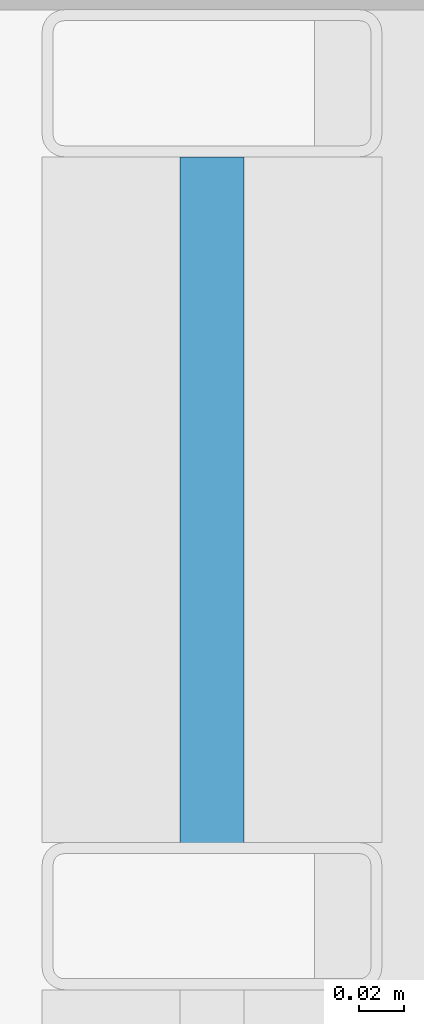
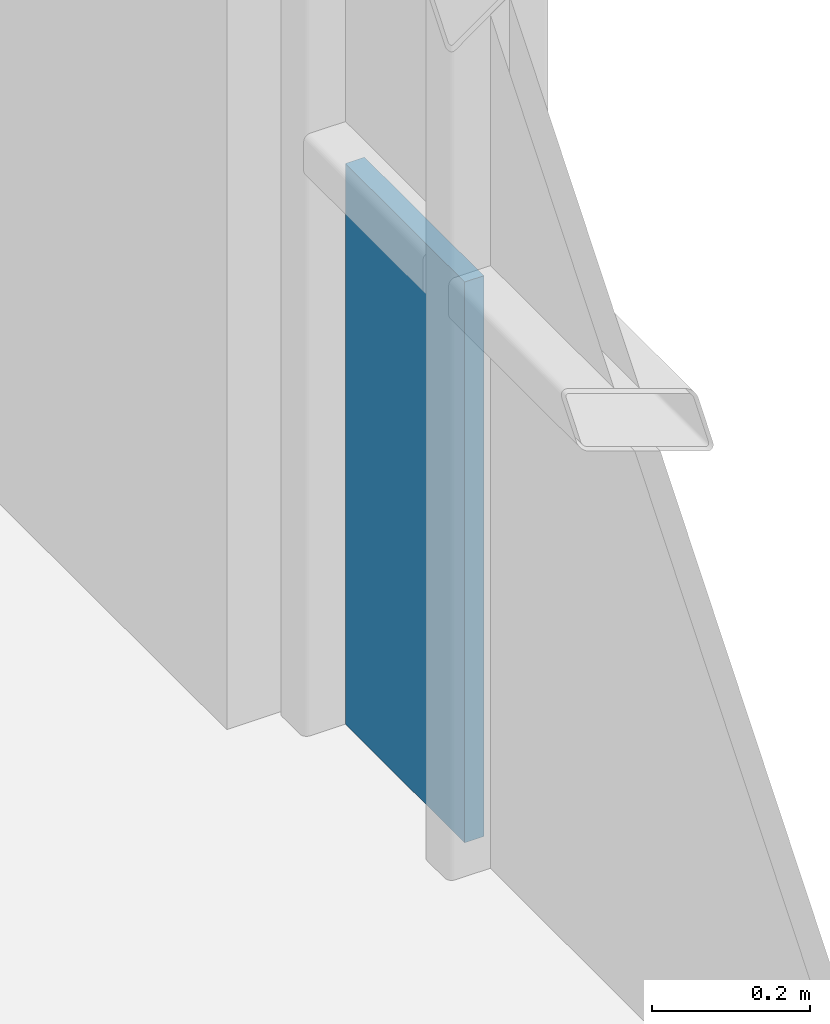
# One storey, part 30 of 41: 1 plate, 1 element without a shape of its own.
"""IFC4 building model written with IfcOpenShell, lengths in metres."""

from ifc_helpers import new_model, si_unit, direction, frame, origin, origin_2d, place, context, subcontext, project, spatial, rectangle, extrude, material, layer, layer_set, type_object, element, aggregate, save


model = new_model("IFC4")

# Units and contexts
model_context = context("Model", 3, precision=1e-05, world=origin(), true_north=direction((0.0, 1.0)))
body_context = subcontext(model_context, "Body", "Model", "MODEL_VIEW")
ifc_project = project(units=[si_unit("LENGTHUNIT", "METRE"), si_unit("AREAUNIT", "SQUARE_METRE"), si_unit("VOLUMEUNIT", "CUBIC_METRE"), si_unit("PLANEANGLEUNIT", "RADIAN"), si_unit("MASSUNIT", "GRAM", prefix="KILO")], contexts=[model_context])

# Site, building, storey
site_placement = place(None, origin())
site = spatial("IfcSite", under=ifc_project, at=site_placement, CompositionType="ELEMENT")
building_placement = place(site_placement, origin())
building = spatial("IfcBuilding", under=site, at=building_placement, Name="Brevholm Reach", CompositionType="ELEMENT")
storey_placement = place(building_placement, frame((0.0, 0.0, 112.800048828125)))
storey = spatial("IfcBuildingStorey", under=building, at=storey_placement, Name="L33", CompositionType="ELEMENT", Elevation=112.800048828125)

# Curtain wall, plate
ifc_material_1 = material(Name="Dark Anodised Aluminium 6063-T6 and Solar-Control Glass", Category="aluminium")
ifc_layer_1 = layer(ifc_material_1, 0.14990234375)
ifc_layer_set_1 = layer_set([ifc_layer_1], Name="Dark Anodised Aluminium 6063-T6 and Solar-Control Glass")
curtain_wall_type = type_object("IfcCurtainWallType", Name="CW-01", PredefinedType="NOTDEFINED", material=ifc_layer_set_1)
curtain_wall_placement = place(storey_placement, origin())
curtain_wall = element("IfcCurtainWall", 1, at=curtain_wall_placement, inside=storey, type_object=curtain_wall_type, Name="L33 Curtain Wall CW-01", PredefinedType="NOTDEFINED")
ifc_material_2 = material(Name="Dark Solar-Control Double-Glazed IGU Glass", Category="glass")
ifc_layer_2 = layer(ifc_material_2, 0.028076171875)
ifc_layer_set_2 = layer_set([ifc_layer_2], Name="Dark Solar-Control Double-Glazed IGU Glass")
plate_type = type_object("IfcPlateType", Name="CWP-GLZ-28", PredefinedType="CURTAIN_PANEL", material=ifc_layer_set_2)
plate_placement = place(storey_placement, frame((59.85009765625, 22.733642578125, 0.0), z_axis=(0.0, 0.0, 1.0), x_axis=(0.0, 1.0, 0.0)))
plate = element("IfcPlate", 2, at=plate_placement, type_object=plate_type, Name="CP-01 Glazing Panel 5.1", PredefinedType="CURTAIN_PANEL", context=body_context, shape_type="SweptSolid", body=[
    extrude(rectangle(XDim=0.302490234375, YDim=0.028076171875, at=origin_2d()), origin(), (0.0, 0.0, 1.0), 0.867431640625),
])
aggregate(curtain_wall, [plate])

save(model, "model.ifc")
